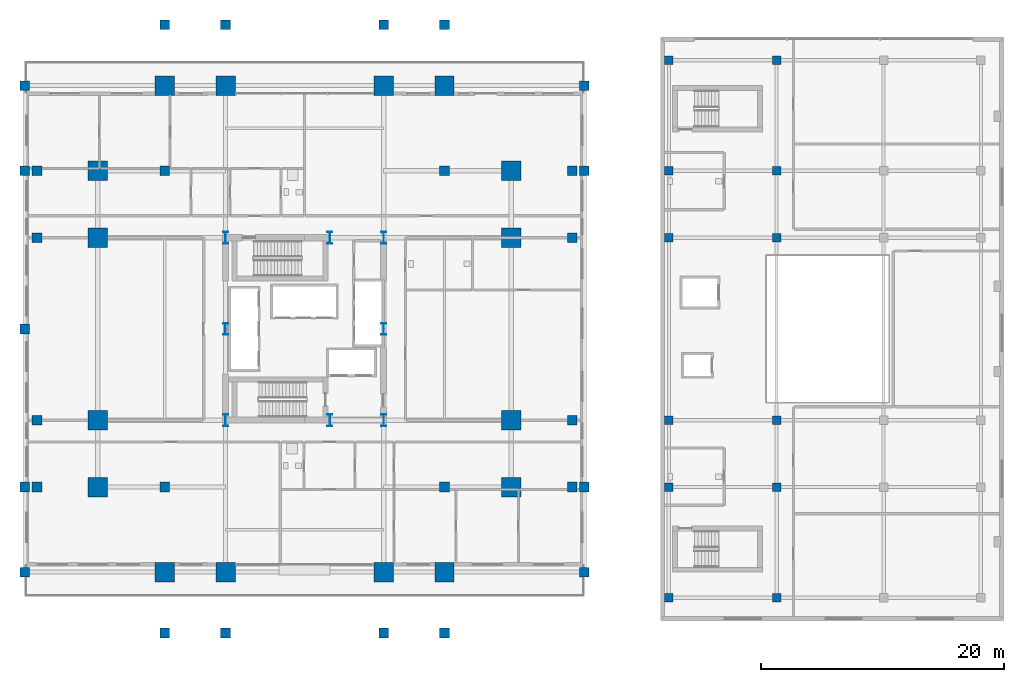
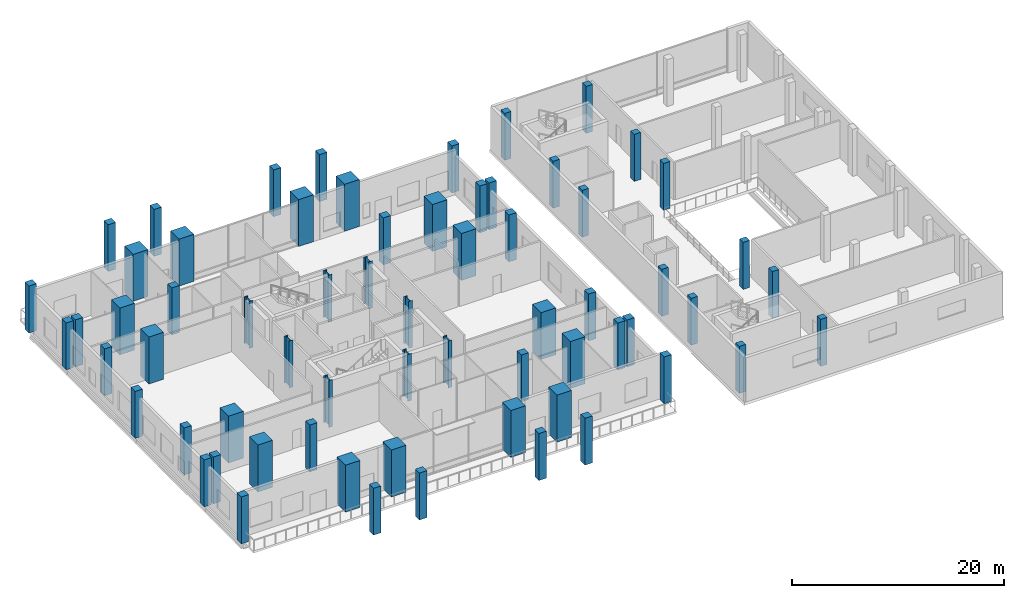
# One storey, part 1 of 22: 65 columns.
"""IFC4 building model written with IfcOpenShell, lengths in metres."""

from ifc_helpers import new_model, si_unit, direction, frame, origin, origin_2d, place, context, subcontext, project, spatial, rectangle, i_section, extrude, material, material_profile, profile_set, type_object, element, save


model = new_model("IFC4")

# Units and contexts
model_context = context("Model", 3, precision=1e-05, world=origin(), true_north=direction((0.0, 1.0)))
body_context = subcontext(model_context, "Body", "Model", "MODEL_VIEW")
ifc_project = project(units=[si_unit("LENGTHUNIT", "METRE"), si_unit("AREAUNIT", "SQUARE_METRE"), si_unit("VOLUMEUNIT", "CUBIC_METRE"), si_unit("PLANEANGLEUNIT", "RADIAN"), si_unit("MASSUNIT", "GRAM", prefix="KILO")], contexts=[model_context])

# Site, building, storey
site_placement = place(None, origin())
site = spatial("IfcSite", under=ifc_project, at=site_placement, CompositionType="ELEMENT")
building_placement = place(site_placement, origin())
building = spatial("IfcBuilding", under=site, at=building_placement, Name="Barlavira Tower and Art Museum", CompositionType="ELEMENT")
storey_placement = place(building_placement, frame((0.0, 0.0, 16.800048828125)))
storey = spatial("IfcBuildingStorey", under=building, at=storey_placement, Name="L03", CompositionType="ELEMENT", Elevation=16.800048828125)

# Columns
ifc_material_1 = material(Name="Steel S355", Category="steel")
ifc_material_profile_1 = material_profile(ifc_material_1, i_section(OverallWidth=0.419921875, OverallDepth=0.9599609375, WebThickness=0.02197265625, FlangeThickness=0.033935546875, at=origin_2d()), Name="W920x387.0")
ifc_profile_set_1 = profile_set([ifc_material_profile_1], Name="Steel S355")
column_type_1 = type_object("IfcColumnType", Name="Core Composite Column W920x387 Steel S355", PredefinedType="COLUMN", material=ifc_profile_set_1)
for number, where, z_axis, x_axis, name in (
    (1, (-6.5, -7.5, 0.0), (0.0, 0.0, 1.0), (1.0, 0.0, 0.0), "L03 Column CC-L03-C1"),
    (2, (2.080078125, -7.5, 0.0), (0.0, 0.0, 1.0), (1.0, 0.0, 0.0), "L03 Column CC-L03-C2"),
    (3, (6.5, -7.5, 0.0), (0.0, 0.0, 1.0), (1.0, 0.0, 0.0), "L03 Column CC-L03-C3"),
    (4, (-6.5, 0.0, 0.0), (0.0, 0.0, 1.0), (1.0, 0.0, 0.0), "L03 Column CC-L03-C4"),
    (5, (6.5, 0.0, 0.0), (0.0, 0.0, 1.0), (1.0, 0.0, 0.0), "L03 Column CC-L03-C5"),
    (6, (-6.5, 7.5, 0.0), (0.0, 0.0, 1.0), (1.0, 0.0, 0.0), "L03 Column CC-L03-C6"),
    (7, (2.080078125, 7.5, 0.0), (0.0, 0.0, 1.0), (1.0, 0.0, 0.0), "L03 Column CC-L03-C7"),
    (8, (6.5, 7.5, 0.0), (0.0, 0.0, 1.0), (1.0, 0.0, 0.0), "L03 Column CC-L03-C8"),
):
    element("IfcColumn", number, at=place(storey_placement, frame(where, z_axis=z_axis, x_axis=x_axis)), inside=storey, type_object=column_type_1, Name=name, PredefinedType="COLUMN", context=body_context, shape_type="SweptSolid", body=[
        extrude(i_section(OverallWidth=0.419921875, OverallDepth=0.9599609375, WebThickness=0.02197265625, FlangeThickness=0.033935546875, at=origin_2d()), origin(), (0.0, 0.0, 1.0), 5.39990234375),
    ])
ifc_material_2 = material(Name="Concrete C50", Category="concrete")
ifc_material_profile_2 = material_profile(ifc_material_2, rectangle(XDim=0.699951171875, YDim=0.699951171875, at=origin_2d()), Name="RC-COL 700x700")
ifc_profile_set_2 = profile_set([ifc_material_profile_2], Name="Concrete C50")
column_type_2 = type_object("IfcColumnType", Name="Museum Frame Column 700x700 Concrete C50", PredefinedType="COLUMN", material=ifc_profile_set_2)
for number, where, z_axis, x_axis, name in (
    (9, (29.949951171875, -22.10009765625, 0.0), (0.0, 0.0, 1.0), (1.0, 0.0, 0.0), "L03 Museum Column 1-1"),
    (10, (29.949951171875, -13.0, 0.0), (0.0, 0.0, 1.0), (1.0, 0.0, 0.0), "L03 Museum Column 1-2"),
    (11, (29.949951171875, -7.5, 0.0), (0.0, 0.0, 1.0), (1.0, 0.0, 0.0), "L03 Museum Column 1-3"),
    (12, (29.949951171875, 7.5, 0.0), (0.0, 0.0, 1.0), (1.0, 0.0, 0.0), "L03 Museum Column 1-4"),
    (13, (29.949951171875, 13.0, 0.0), (0.0, 0.0, 1.0), (1.0, 0.0, 0.0), "L03 Museum Column 1-5"),
    (14, (29.949951171875, 22.10009765625, 0.0), (0.0, 0.0, 1.0), (1.0, 0.0, 0.0), "L03 Museum Column 1-6"),
    (15, (38.800048828125, -22.10009765625, 0.0), (0.0, 0.0, 1.0), (1.0, 0.0, 0.0), "L03 Museum Column 2-1"),
    (16, (38.800048828125, -13.0, 0.0), (0.0, 0.0, 1.0), (1.0, 0.0, 0.0), "L03 Museum Column 2-2"),
    (17, (38.800048828125, -7.5, 0.0), (0.0, 0.0, 1.0), (1.0, 0.0, 0.0), "L03 Museum Column 2-3"),
    (18, (38.800048828125, 7.5, 0.0), (0.0, 0.0, 1.0), (1.0, 0.0, 0.0), "L03 Museum Column 2-4"),
    (19, (38.800048828125, 13.0, 0.0), (0.0, 0.0, 1.0), (1.0, 0.0, 0.0), "L03 Museum Column 2-5"),
    (20, (38.800048828125, 22.10009765625, 0.0), (0.0, 0.0, 1.0), (1.0, 0.0, 0.0), "L03 Museum Column 2-6"),
):
    element("IfcColumn", number, at=place(storey_placement, frame(where, z_axis=z_axis, x_axis=x_axis)), inside=storey, type_object=column_type_2, Name=name, PredefinedType="COLUMN", context=body_context, shape_type="SweptSolid", body=[
        extrude(rectangle(XDim=0.699951171875, YDim=0.699951171875, at=origin_2d()), origin(), (0.0, 0.0, 1.0), 5.39990234375),
    ])
ifc_material_3 = material(Name="Concrete C60", Category="concrete")
ifc_material_profile_3 = material_profile(ifc_material_3, rectangle(XDim=1.60009765625, YDim=1.60009765625, at=origin_2d()), Name="RC-MCOL 1600x1600")
ifc_profile_set_3 = profile_set([ifc_material_profile_3], Name="Concrete C60")
column_type_3 = type_object("IfcColumnType", Name="Perimeter Mega Column 1600x1600 Concrete C60", PredefinedType="USERDEFINED", material=ifc_profile_set_3)
for number, where, z_axis, x_axis, name in (
    (21, (-11.5, -20.0, 0.0), (0.0, 0.0, 1.0), (1.0, 0.0, 0.0), "L03 Column MC-L03-M01"),
    (22, (-6.5, -20.0, 0.0), (0.0, 0.0, 1.0), (1.0, 0.0, 0.0), "L03 Column MC-L03-M02"),
    (23, (6.5, -20.0, 0.0), (0.0, 0.0, 1.0), (1.0, 0.0, 0.0), "L03 Column MC-L03-M03"),
    (24, (11.5, -20.0, 0.0), (0.0, 0.0, 1.0), (1.0, 0.0, 0.0), "L03 Column MC-L03-M04"),
    (25, (17.0, -13.0, 0.0), (0.0, 0.0, 1.0), (1.0, 0.0, 0.0), "L03 Column MC-L03-M05"),
    (26, (17.0, -7.5, 0.0), (0.0, 0.0, 1.0), (1.0, 0.0, 0.0), "L03 Column MC-L03-M06"),
    (27, (17.0, 7.5, 0.0), (0.0, 0.0, 1.0), (1.0, 0.0, 0.0), "L03 Column MC-L03-M07"),
    (28, (17.0, 13.0, 0.0), (0.0, 0.0, 1.0), (1.0, 0.0, 0.0), "L03 Column MC-L03-M08"),
    (29, (11.5, 20.0, 0.0), (0.0, 0.0, 1.0), (1.0, 0.0, 0.0), "L03 Column MC-L03-M09"),
    (30, (6.5, 20.0, 0.0), (0.0, 0.0, 1.0), (1.0, 0.0, 0.0), "L03 Column MC-L03-M10"),
    (31, (-6.5, 20.0, 0.0), (0.0, 0.0, 1.0), (1.0, 0.0, 0.0), "L03 Column MC-L03-M11"),
    (32, (-11.5, 20.0, 0.0), (0.0, 0.0, 1.0), (1.0, 0.0, 0.0), "L03 Column MC-L03-M12"),
    (33, (-17.0, 13.0, 0.0), (0.0, 0.0, 1.0), (1.0, 0.0, 0.0), "L03 Column MC-L03-M13"),
    (34, (-17.0, 7.5, 0.0), (0.0, 0.0, 1.0), (1.0, 0.0, 0.0), "L03 Column MC-L03-M14"),
    (35, (-17.0, -7.5, 0.0), (0.0, 0.0, 1.0), (1.0, 0.0, 0.0), "L03 Column MC-L03-M15"),
    (36, (-17.0, -13.0, 0.0), (0.0, 0.0, 1.0), (1.0, 0.0, 0.0), "L03 Column MC-L03-M16"),
):
    element("IfcColumn", number, at=place(storey_placement, frame(where, z_axis=z_axis, x_axis=x_axis)), inside=storey, type_object=column_type_3, Name=name, ObjectType="MEGA COLUMN", PredefinedType="USERDEFINED", context=body_context, shape_type="SweptSolid", body=[
        extrude(rectangle(XDim=1.60009765625, YDim=1.60009765625, at=origin_2d()), origin(), (0.0, 0.0, 1.0), 5.39990234375),
    ])
ifc_material_profile_4 = material_profile(ifc_material_2, rectangle(XDim=0.800048828125, YDim=0.800048828125, at=origin_2d()), Name="RC-COL 800x800")
ifc_profile_set_4 = profile_set([ifc_material_profile_4], Name="Concrete C50")
column_type_4 = type_object("IfcColumnType", Name="Podium Frame Column 800x800 Concrete C50", PredefinedType="COLUMN", material=ifc_profile_set_4)
for number, where, z_axis, x_axis, name in (
    (37, (-23.0, -20.0, 0.0), (0.0, 0.0, 1.0), (1.0, 0.0, 0.0), "L03 Column CP-L03-P1"),
    (38, (-23.0, -13.0, 0.0), (0.0, 0.0, 1.0), (1.0, 0.0, 0.0), "L03 Column CP-L03-P2"),
    (39, (-23.0, 0.0, 0.0), (0.0, 0.0, 1.0), (1.0, 0.0, 0.0), "L03 Column CP-L03-P3"),
    (40, (-23.0, 13.0, 0.0), (0.0, 0.0, 1.0), (1.0, 0.0, 0.0), "L03 Column CP-L03-P4"),
    (41, (-23.0, 20.0, 0.0), (0.0, 0.0, 1.0), (1.0, 0.0, 0.0), "L03 Column CP-L03-P5"),
    (42, (23.0, -20.0, 0.0), (0.0, 0.0, 1.0), (1.0, 0.0, 0.0), "L03 Column CP-L03-P6"),
    (43, (23.0, -13.0, 0.0), (0.0, 0.0, 1.0), (1.0, 0.0, 0.0), "L03 Column CP-L03-P7"),
    (44, (23.0, 13.0, 0.0), (0.0, 0.0, 1.0), (1.0, 0.0, 0.0), "L03 Column CP-L03-P8"),
    (45, (23.0, 20.0, 0.0), (0.0, 0.0, 1.0), (1.0, 0.0, 0.0), "L03 Column CP-L03-P9"),
    (46, (-11.5, -13.0, 0.0), (0.0, 0.0, 1.0), (1.0, 0.0, 0.0), "L03 Column CI-L03-I1"),
    (47, (11.5, -13.0, 0.0), (0.0, 0.0, 1.0), (1.0, 0.0, 0.0), "L03 Column CI-L03-I2"),
    (48, (-11.5, 13.0, 0.0), (0.0, 0.0, 1.0), (1.0, 0.0, 0.0), "L03 Column CI-L03-I3"),
    (49, (11.5, 13.0, 0.0), (0.0, 0.0, 1.0), (1.0, 0.0, 0.0), "L03 Column CI-L03-I4"),
    (50, (-11.5, -25.0, 0.0), (0.0, 0.0, 1.0), (1.0, 0.0, 0.0), "L03 Column CZ1-L03-N01"),
    (51, (-6.5, -25.0, 0.0), (0.0, 0.0, 1.0), (1.0, 0.0, 0.0), "L03 Column CZ1-L03-N02"),
    (52, (6.5, -25.0, 0.0), (0.0, 0.0, 1.0), (1.0, 0.0, 0.0), "L03 Column CZ1-L03-N02B"),
    (53, (11.5, -25.0, 0.0), (0.0, 0.0, 1.0), (1.0, 0.0, 0.0), "L03 Column CZ1-L03-N03"),
    (54, (-22.0, -13.0, 0.0), (0.0, 0.0, 1.0), (1.0, 0.0, 0.0), "L03 Column CZ1-L03-N04"),
    (55, (-22.0, -7.5, 0.0), (0.0, 0.0, 1.0), (1.0, 0.0, 0.0), "L03 Column CZ1-L03-N05"),
    (56, (-22.0, 7.5, 0.0), (0.0, 0.0, 1.0), (1.0, 0.0, 0.0), "L03 Column CZ1-L03-N05B"),
    (57, (-22.0, 13.0, 0.0), (0.0, 0.0, 1.0), (1.0, 0.0, 0.0), "L03 Column CZ1-L03-N06"),
    (58, (-11.5, 25.0, 0.0), (0.0, 0.0, 1.0), (1.0, 0.0, 0.0), "L03 Column CZ1-L03-N07"),
    (59, (-6.5, 25.0, 0.0), (0.0, 0.0, 1.0), (1.0, 0.0, 0.0), "L03 Column CZ1-L03-N08"),
    (60, (6.5, 25.0, 0.0), (0.0, 0.0, 1.0), (1.0, 0.0, 0.0), "L03 Column CZ1-L03-N08B"),
    (61, (11.5, 25.0, 0.0), (0.0, 0.0, 1.0), (1.0, 0.0, 0.0), "L03 Column CZ1-L03-N09"),
    (62, (22.0, -13.0, 0.0), (0.0, 0.0, 1.0), (1.0, 0.0, 0.0), "L03 Column CZ1-L03-N10"),
    (63, (22.0, -7.5, 0.0), (0.0, 0.0, 1.0), (1.0, 0.0, 0.0), "L03 Column CZ1-L03-N11"),
    (64, (22.0, 7.5, 0.0), (0.0, 0.0, 1.0), (1.0, 0.0, 0.0), "L03 Column CZ1-L03-N11B"),
    (65, (22.0, 13.0, 0.0), (0.0, 0.0, 1.0), (1.0, 0.0, 0.0), "L03 Column CZ1-L03-N12"),
):
    element("IfcColumn", number, at=place(storey_placement, frame(where, z_axis=z_axis, x_axis=x_axis)), inside=storey, type_object=column_type_4, Name=name, PredefinedType="COLUMN", context=body_context, shape_type="SweptSolid", body=[
        extrude(rectangle(XDim=0.800048828125, YDim=0.800048828125, at=origin_2d()), origin(), (0.0, 0.0, 1.0), 5.39990234375),
    ])

save(model, "model.ifc")
